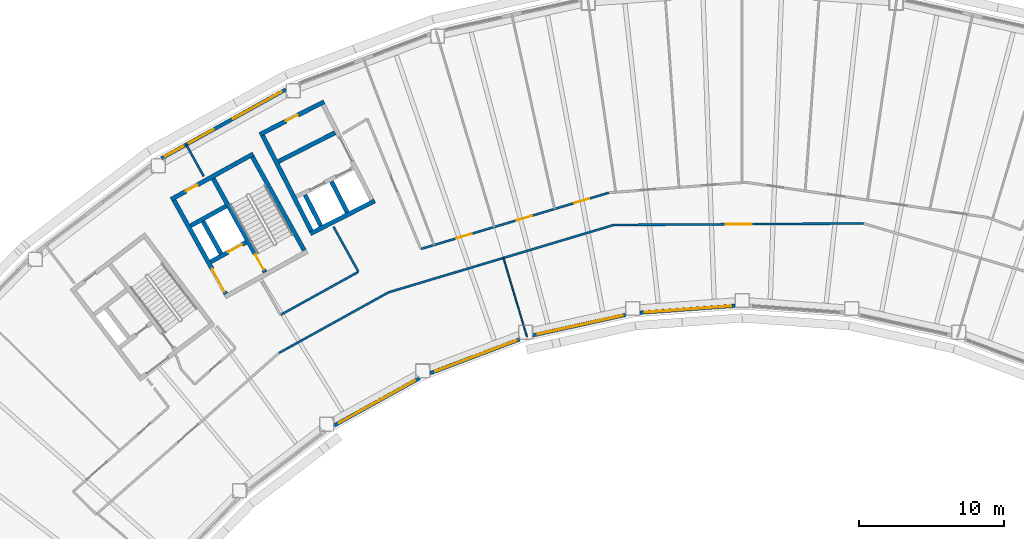
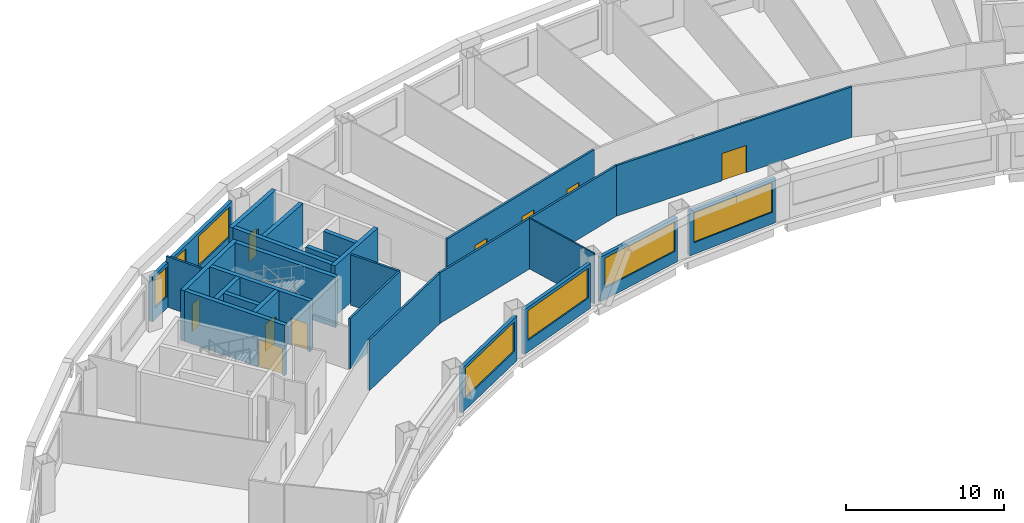
# One storey, part 4 of 11: 26 walls, 9 doors, 7 windows, 16 openings.
"""IFC4 building model written with IfcOpenShell, lengths in metres."""

from ifc_helpers import new_model, si_unit, direction, frame, frame_2d, origin, place, context, subcontext, project, spatial, rectangle, extrude, material, layer, layer_set, type_object, element, fill, save


model = new_model("IFC4")

# Units and contexts
model_context = context("Model", 3, precision=1e-05, world=origin(), true_north=direction((0.0, 1.0)))
body_context = subcontext(model_context, "Body", "Model", "MODEL_VIEW")
ifc_project = project(units=[si_unit("LENGTHUNIT", "METRE"), si_unit("AREAUNIT", "SQUARE_METRE"), si_unit("VOLUMEUNIT", "CUBIC_METRE"), si_unit("PLANEANGLEUNIT", "RADIAN"), si_unit("MASSUNIT", "GRAM", prefix="KILO")], contexts=[model_context])

# Site, building, storey
site_placement = place(None, origin())
site = spatial("IfcSite", under=ifc_project, at=site_placement, CompositionType="ELEMENT")
building_placement = place(site_placement, origin())
building = spatial("IfcBuilding", under=site, at=building_placement, Name="Tuul Gate Civic Tower", CompositionType="ELEMENT")
storey_placement = place(building_placement, frame((0.0, 0.0, 142.39990234375)))
storey = spatial("IfcBuildingStorey", under=building, at=storey_placement, Name="Level 32", CompositionType="ELEMENT", Elevation=142.39990234375)

# Wall, opening, door
ifc_material_1 = material(Name="Concrete C50/60", Category="concrete")
ifc_layer_1 = layer(ifc_material_1, 0.300048828125)
ifc_layer_set_1 = layer_set([ifc_layer_1], Name="Concrete C50/60")
wall_type_1 = type_object("IfcWallType", Name="Core wall C50/60", PredefinedType="SHEAR", material=ifc_layer_set_1)
wall_1_placement = place(storey_placement, frame((-28.94580078125, -8.090087890625, 0.0), z_axis=(0.0, 0.0, 1.0), x_axis=(-0.874629840737, -0.484791338301, 0.0)))
wall_1 = element("IfcWall", 1, at=wall_1_placement, inside=storey, type_object=wall_type_1, Name="Core wall", PredefinedType="SHEAR", context=body_context, shape_type="SweptSolid", body=[
    extrude(rectangle(XDim=2.800048828125, YDim=0.300048828125, at=frame_2d((1.39990234375, 0.0))), origin(), (0.0, 0.0, 1.0), 3.900146484375),
])
opening_1_placement = place(wall_1_placement, frame((0.324951171875, 0.0, 0.0)))
opening_1 = element("IfcOpeningElement", 2, at=opening_1_placement, cuts=wall_1, Name="Opening LD-FF-1", PredefinedType="OPENING", context=body_context, shape_type="SweptSolid", body=[
    extrude(rectangle(XDim=1.10009765625, YDim=2.10009765625, at=frame_2d((0.550048828125, 1.050048828125))), frame((0.0, 0.16015625, 0.0), z_axis=(0.0, -1.0, 0.0), x_axis=(1.0, 0.0, 0.0)), (0.0, 0.0, 1.0), 0.320068359375),
])
ifc_material_2 = material(Name="Stainless steel", Category="steel")
door_type_1 = type_object("IfcDoorType", Name="Landing door", OperationType="DOUBLE_DOOR_SLIDING", PredefinedType="DOOR", material=ifc_material_2)
door_1_placement = place(opening_1_placement, origin())
door_1 = element("IfcDoor", 3, at=door_1_placement, inside=storey, type_object=door_type_1, Name="Fire-fighting lift FF-1 landing door", OperationType="DOUBLE_DOOR_SLIDING", OverallHeight=2.10009765625, OverallWidth=1.10009765625, PredefinedType="DOOR", context=body_context, shape_type="SweptSolid", body=[
    extrude(rectangle(XDim=1.10009765625, YDim=2.10009765625, at=frame_2d((0.550048828125, 1.050048828125))), frame((0.0, 0.02490234375, 0.0), z_axis=(0.0, -1.0, 0.0), x_axis=(1.0, 0.0, 0.0)), (0.0, 0.0, 1.0), 0.050048828125),
])
fill(opening_1, door_1)

# Wall
wall_2_placement = place(storey_placement, frame((-30.327392578125, -5.59716796875, 0.0), z_axis=(0.0, 0.0, 1.0), x_axis=(-0.874629840737, -0.484791338301, 0.0)))
element("IfcWall", 4, at=wall_2_placement, inside=storey, type_object=wall_type_1, Name="Core wall", PredefinedType="SHEAR", context=body_context, shape_type="SweptSolid", body=[
    extrude(rectangle(XDim=2.800048828125, YDim=0.300048828125, at=frame_2d((1.39990234375, 0.0))), origin(), (0.0, 0.0, 1.0), 3.900146484375),
])

# Wall, opening, door
wall_3_placement = place(storey_placement, frame((-28.4443359375, -1.98095703125, 0.0), z_axis=(0.0, 0.0, 1.0), x_axis=(-0.874629909008, -0.484791215132, 0.0)))
wall_3 = element("IfcWall", 5, at=wall_3_placement, inside=storey, type_object=wall_type_1, Name="Core wall", PredefinedType="SHEAR", context=body_context, shape_type="SweptSolid", body=[
    extrude(rectangle(XDim=6.5, YDim=0.300048828125, at=frame_2d((3.25, 0.0))), origin(), (0.0, 0.0, 1.0), 3.900146484375),
])
opening_2_placement = place(wall_3_placement, frame((4.425048828125, 0.0, 0.0)))
opening_2 = element("IfcOpeningElement", 6, at=opening_2_placement, cuts=wall_3, Name="Opening K-D23", PredefinedType="OPENING", context=body_context, shape_type="SweptSolid", body=[
    extrude(rectangle(XDim=0.89990234375, YDim=2.10009765625, at=frame_2d((0.449951171875, 1.050048828125))), frame((0.0, 0.16015625, 0.0), z_axis=(0.0, -1.0, 0.0), x_axis=(1.0, 0.0, 0.0)), (0.0, 0.0, 1.0), 0.320068359375),
])
ifc_material_3 = material(Name="Timber door leaf", Category="wood")
door_type_2 = type_object("IfcDoorType", Name="Door D09", OperationType="NOTDEFINED", PredefinedType="DOOR", material=ifc_material_3)
door_2_placement = place(opening_2_placement, origin())
door_2 = element("IfcDoor", 7, at=door_2_placement, inside=storey, type_object=door_type_2, Name="Door K-D23", OperationType="SINGLE_SWING_LEFT", OverallHeight=2.10009765625, OverallWidth=0.89990234375, PredefinedType="DOOR", context=body_context, shape_type="SweptSolid", body=[
    extrude(rectangle(XDim=0.89990234375, YDim=2.10009765625, at=frame_2d((0.449951171875, 1.050048828125))), frame((0.0, 0.02490234375, 0.0), z_axis=(0.0, -1.0, 0.0), x_axis=(1.0, 0.0, 0.0)), (0.0, 0.0, 1.0), 0.050048828125),
])
fill(opening_2, door_2)

# Wall
wall_4_placement = place(storey_placement, frame((-24.91552734375, -8.6572265625, 0.0), z_axis=(0.0, 0.0, 1.0), x_axis=(-0.484777133038, 0.874637714304, 0.0)))
element("IfcWall", 8, at=wall_4_placement, inside=storey, type_object=wall_type_1, Name="Core wall", PredefinedType="SHEAR", context=body_context, shape_type="SweptSolid", body=[
    extrude(rectangle(XDim=7.400146484375, YDim=0.300048828125, at=frame_2d((3.7001953125, 0.0))), origin(), (0.0, 0.0, 1.0), 3.900146484375),
])

# Wall, opening, door
wall_5_placement = place(storey_placement, frame((-27.626953125, -10.16015625, 0.0), z_axis=(0.0, 0.0, 1.0), x_axis=(-0.484751894226, 0.874651702704, 0.0)))
wall_5 = element("IfcWall", 9, at=wall_5_placement, inside=storey, type_object=wall_type_1, Name="Core wall", PredefinedType="SHEAR", context=body_context, shape_type="SweptSolid", body=[
    extrude(rectangle(XDim=7.39990234375, YDim=0.300048828125, at=frame_2d((3.699951171875, 0.0))), origin(), (0.0, 0.0, 1.0), 3.900146484375),
])
opening_3_placement = place(wall_5_placement, frame((0.199951171875, 0.0, 0.0)))
opening_3 = element("IfcOpeningElement", 10, at=opening_3_placement, cuts=wall_5, Name="Opening SD-ST-2", PredefinedType="OPENING", context=body_context, shape_type="SweptSolid", body=[
    extrude(rectangle(XDim=1.199951171875, YDim=2.10009765625, at=frame_2d((0.60009765625, 1.050048828125))), frame((0.0, 0.16015625, 0.0), z_axis=(0.0, -1.0, 0.0), x_axis=(1.0, 0.0, 0.0)), (0.0, 0.0, 1.0), 0.320068359375),
])
ifc_material_4 = material(Name="Steel", Category="steel")
door_type_3 = type_object("IfcDoorType", Name="Stair door", OperationType="NOTDEFINED", PredefinedType="DOOR", material=ifc_material_4)
door_3_placement = place(opening_3_placement, origin())
door_3 = element("IfcDoor", 11, at=door_3_placement, inside=storey, type_object=door_type_3, Name="Stair door ST-2", OperationType="SINGLE_SWING_LEFT", OverallHeight=2.10009765625, OverallWidth=1.199951171875, PredefinedType="DOOR", context=body_context, shape_type="SweptSolid", body=[
    extrude(rectangle(XDim=1.199951171875, YDim=2.10009765625, at=frame_2d((0.60009765625, 1.050048828125))), frame((0.0, 0.02490234375, 0.0), z_axis=(0.0, -1.0, 0.0), x_axis=(1.0, 0.0, 0.0)), (0.0, 0.0, 1.0), 0.050048828125),
])
fill(opening_3, door_3)

# Wall
wall_6_placement = place(storey_placement, frame((-30.680419921875, -8.8798828125, 0.0), z_axis=(0.0, 0.0, 1.0), x_axis=(-0.484724115216, 0.874667097888, 0.0)))
element("IfcWall", 12, at=wall_6_placement, inside=storey, type_object=wall_type_1, Name="Core wall", PredefinedType="SHEAR", context=body_context, shape_type="SweptSolid", body=[
    extrude(rectangle(XDim=2.550048828125, YDim=0.300048828125, at=frame_2d((1.27490234375, 0.0))), origin(), (0.0, 0.0, 1.0), 3.900146484375),
])

# Wall, opening, door
wall_7_placement = place(storey_placement, frame((-30.33837890625, -11.6630859375, 0.0), z_axis=(0.0, 0.0, 1.0), x_axis=(-0.484751894226, 0.874651702704, 0.0)))
wall_7 = element("IfcWall", 13, at=wall_7_placement, inside=storey, type_object=wall_type_1, Name="Core wall", PredefinedType="SHEAR", context=body_context, shape_type="SweptSolid", body=[
    extrude(rectangle(XDim=7.39990234375, YDim=0.300048828125, at=frame_2d((3.699951171875, 0.0))), origin(), (0.0, 0.0, 1.0), 3.900146484375),
])
opening_4_placement = place(wall_7_placement, frame((0.175048828125, 0.0, 0.0)))
opening_4 = element("IfcOpeningElement", 14, at=opening_4_placement, cuts=wall_7, Name="Opening LB-W2-FLOBBY-1", PredefinedType="OPENING", context=body_context, shape_type="SweptSolid", body=[
    extrude(rectangle(XDim=1.800048828125, YDim=2.10009765625, at=frame_2d((0.89990234375, 1.050048828125))), frame((0.0, 0.16015625, 0.0), z_axis=(0.0, -1.0, 0.0), x_axis=(1.0, 0.0, 0.0)), (0.0, 0.0, 1.0), 0.320068359375),
])
ifc_material_5 = material(Name="Steel", Category="steel")
door_type_4 = type_object("IfcDoorType", Name="Lobby door", OperationType="DOUBLE_DOOR_SINGLE_SWING", PredefinedType="DOOR", material=ifc_material_5)
door_4_placement = place(opening_4_placement, frame((1.800048828125, 0.0, 0.0), z_axis=(0.0, 0.0, 1.0), x_axis=(-1.0, 0.0, 0.0)))
door_4 = element("IfcDoor", 15, at=door_4_placement, inside=storey, type_object=door_type_4, Name="Lobby door W2-FLOBBY", OperationType="DOUBLE_DOOR_SINGLE_SWING", OverallHeight=2.10009765625, OverallWidth=1.800048828125, PredefinedType="DOOR", context=body_context, shape_type="SweptSolid", body=[
    extrude(rectangle(XDim=1.800048828125, YDim=2.10009765625, at=frame_2d((0.900146484375, 1.050048828125))), frame((0.0, 0.02490234375, 0.0), z_axis=(0.0, -1.0, 0.0), x_axis=(1.0, 0.0, 0.0)), (0.0, 0.0, 1.0), 0.050048828125),
])
fill(opening_4, door_4)

# Wall, openings, doors
ifc_material_6 = material(Name="Gypsum board partition")
ifc_layer_2 = layer(ifc_material_6, 0.14990234375)
ifc_layer_set_2 = layer_set([ifc_layer_2], Name="Gypsum board partition")
wall_type_2 = type_object("IfcWallType", Name="Corridor wall P150", PredefinedType="PARTITIONING", material=ifc_layer_set_2)
wall_8_placement = place(storey_placement, frame((-16.8408203125, -8.552490234375, 0.0), z_axis=(0.0, 0.0, 1.0), x_axis=(0.958034162582, 0.286654048158, 0.0)))
wall_8 = element("IfcWall", 16, at=wall_8_placement, inside=storey, type_object=wall_type_2, Name="p029", PredefinedType="PARTITIONING", context=body_context, shape_type="SweptSolid", body=[
    extrude(rectangle(XDim=13.559814453125, YDim=0.14990234375, at=frame_2d((6.77978515625, 0.0))), origin(), (0.0, 0.0, 1.0), 3.900146484375),
])
opening_5_placement = place(wall_8_placement, frame((11.0517578125, 0.0, 0.0)))
opening_5 = element("IfcOpeningElement", 17, at=opening_5_placement, cuts=wall_8, Name="Opening K-D12", PredefinedType="OPENING", context=body_context, shape_type="SweptSolid", body=[
    extrude(rectangle(XDim=1.10009765625, YDim=2.10009765625, at=frame_2d((0.550048828125, 1.050048828125))), frame((0.0, 0.0849609375, 0.0), z_axis=(0.0, -1.0, 0.0), x_axis=(1.0, 0.0, 0.0)), (0.0, 0.0, 1.0), 0.169921875),
])
opening_6_placement = place(wall_8_placement, frame((6.91552734375, 0.0, 0.0)))
opening_6 = element("IfcOpeningElement", 18, at=opening_6_placement, cuts=wall_8, Name="Opening K-D13", PredefinedType="OPENING", context=body_context, shape_type="SweptSolid", body=[
    extrude(rectangle(XDim=1.10009765625, YDim=2.10009765625, at=frame_2d((0.550048828125, 1.050048828125))), frame((0.0, 0.0849609375, 0.0), z_axis=(0.0, -1.0, 0.0), x_axis=(1.0, 0.0, 0.0)), (0.0, 0.0, 1.0), 0.169921875),
])
opening_7_placement = place(wall_8_placement, frame((2.560302734375, 0.0, 0.0)))
opening_7 = element("IfcOpeningElement", 19, at=opening_7_placement, cuts=wall_8, Name="Opening K-D14", PredefinedType="OPENING", context=body_context, shape_type="SweptSolid", body=[
    extrude(rectangle(XDim=1.10009765625, YDim=2.10009765625, at=frame_2d((0.550048828125, 1.050048828125))), frame((0.0, 0.0849609375, 0.0), z_axis=(0.0, -1.0, 0.0), x_axis=(1.0, 0.0, 0.0)), (0.0, 0.0, 1.0), 0.169921875),
])
ifc_material_7 = material(Name="Timber door leaf", Category="wood")
door_type_5 = type_object("IfcDoorType", Name="Door D11", OperationType="NOTDEFINED", PredefinedType="DOOR", material=ifc_material_7)
door_5_placement = place(opening_5_placement, origin())
door_5 = element("IfcDoor", 20, at=door_5_placement, inside=storey, type_object=door_type_5, Name="Door K-D12", OperationType="SINGLE_SWING_LEFT", OverallHeight=2.10009765625, OverallWidth=1.10009765625, PredefinedType="DOOR", context=body_context, shape_type="SweptSolid", body=[
    extrude(rectangle(XDim=1.10009765625, YDim=2.10009765625, at=frame_2d((0.550048828125, 1.050048828125))), frame((0.0, 0.02490234375, 0.0), z_axis=(0.0, -1.0, 0.0), x_axis=(1.0, 0.0, 0.0)), (0.0, 0.0, 1.0), 0.050048828125),
])
fill(opening_5, door_5)
door_6_placement = place(opening_6_placement, origin())
door_6 = element("IfcDoor", 21, at=door_6_placement, inside=storey, type_object=door_type_5, Name="Door K-D13", OperationType="SINGLE_SWING_RIGHT", OverallHeight=2.10009765625, OverallWidth=1.10009765625, PredefinedType="DOOR", context=body_context, shape_type="SweptSolid", body=[
    extrude(rectangle(XDim=1.10009765625, YDim=2.10009765625, at=frame_2d((0.550048828125, 1.050048828125))), frame((0.0, 0.02490234375, 0.0), z_axis=(0.0, -1.0, 0.0), x_axis=(1.0, 0.0, 0.0)), (0.0, 0.0, 1.0), 0.050048828125),
])
fill(opening_6, door_6)
door_7_placement = place(opening_7_placement, origin())
door_7 = element("IfcDoor", 22, at=door_7_placement, inside=storey, type_object=door_type_5, Name="Door K-D14", OperationType="SINGLE_SWING_RIGHT", OverallHeight=2.10009765625, OverallWidth=1.10009765625, PredefinedType="DOOR", context=body_context, shape_type="SweptSolid", body=[
    extrude(rectangle(XDim=1.10009765625, YDim=2.10009765625, at=frame_2d((0.550048828125, 1.050048828125))), frame((0.0, 0.02490234375, 0.0), z_axis=(0.0, -1.0, 0.0), x_axis=(1.0, 0.0, 0.0)), (0.0, 0.0, 1.0), 0.050048828125),
])
fill(opening_7, door_7)

# Walls
wall_9_placement = place(storey_placement, frame((-22.89453125, -7.02001953125, 0.0), z_axis=(0.0, 0.0, 1.0), x_axis=(0.484190544498, -0.874962580125, 0.0)))
element("IfcWall", 23, at=wall_9_placement, inside=storey, type_object=wall_type_2, Name="p035", PredefinedType="PARTITIONING", context=body_context, shape_type="SweptSolid", body=[
    extrude(rectangle(XDim=3.541259765625, YDim=0.14990234375, at=frame_2d((1.7705078125, 0.0))), origin(), (0.0, 0.0, 1.0), 3.900146484375),
])
wall_10_placement = place(storey_placement, frame((-26.547119140625, -13.11181640625, 0.0), z_axis=(0.0, 0.0, 1.0), x_axis=(0.874958951424, 0.484197101729, 0.0)))
element("IfcWall", 24, at=wall_10_placement, inside=storey, type_object=wall_type_2, Name="p036", PredefinedType="PARTITIONING", context=body_context, shape_type="SweptSolid", body=[
    extrude(rectangle(XDim=6.124755859375, YDim=0.14990234375, at=frame_2d((3.0625, 0.0))), origin(), (0.0, 0.0, 1.0), 3.900146484375),
])
wall_11_placement = place(storey_placement, frame((-33.086669921875, -1.337158203125, 0.0), z_axis=(0.0, 0.0, 1.0), x_axis=(0.484206989031, -0.874953479777, 0.0)))
element("IfcWall", 25, at=wall_11_placement, inside=storey, type_object=wall_type_2, Name="p037", PredefinedType="PARTITIONING", context=body_context, shape_type="SweptSolid", body=[
    extrude(rectangle(XDim=2.512939453125, YDim=0.14990234375, at=frame_2d((1.25634765625, 0.0))), origin(), (0.0, 0.0, 1.0), 3.900146484375),
])
wall_12_placement = place(storey_placement, frame((-19.08837890625, -11.555419921875, 0.0), z_axis=(0.0, 0.0, 1.0), x_axis=(0.958040996971, 0.286631205773, 0.0)))
element("IfcWall", 26, at=wall_12_placement, inside=storey, type_object=wall_type_2, Name="p050", PredefinedType="PARTITIONING", context=body_context, shape_type="SweptSolid", body=[
    extrude(rectangle(XDim=16.253173828125, YDim=0.14990234375, at=frame_2d((8.12646484375, 0.0))), origin(), (0.0, 0.0, 1.0), 3.900146484375),
])

# Wall, opening, door
wall_13_placement = place(storey_placement, frame((-3.51708984375, -6.896728515625, 0.0), z_axis=(0.0, 0.0, 1.0), x_axis=(0.9999814524, 0.006090554604, 0.0)))
wall_13 = element("IfcWall", 27, at=wall_13_placement, inside=storey, type_object=wall_type_2, Name="p051", PredefinedType="PARTITIONING", context=body_context, shape_type="SweptSolid", body=[
    extrude(rectangle(XDim=17.276611328125, YDim=0.14990234375, at=frame_2d((8.63818359375, 0.0))), origin(), (0.0, 0.0, 1.0), 3.900146484375),
])
opening_8_placement = place(wall_13_placement, frame((7.73828125, 0.0, 0.0)))
opening_8 = element("IfcOpeningElement", 28, at=opening_8_placement, cuts=wall_13, Name="Opening K-D19", PredefinedType="OPENING", context=body_context, shape_type="SweptSolid", body=[
    extrude(rectangle(XDim=1.800048828125, YDim=2.10009765625, at=frame_2d((0.89990234375, 1.050048828125))), frame((0.0, 0.0849609375, 0.0), z_axis=(0.0, -1.0, 0.0), x_axis=(1.0, 0.0, 0.0)), (0.0, 0.0, 1.0), 0.169921875),
])
ifc_material_8 = material(Name="Timber door leaf, double", Category="wood")
door_type_6 = type_object("IfcDoorType", Name="Door D18", OperationType="DOUBLE_DOOR_SINGLE_SWING", PredefinedType="DOOR", material=ifc_material_8)
door_8_placement = place(opening_8_placement, frame((1.800048828125, 0.0, 0.0), z_axis=(0.0, 0.0, 1.0), x_axis=(-1.0, 0.0, 0.0)))
door_8 = element("IfcDoor", 29, at=door_8_placement, inside=storey, type_object=door_type_6, Name="Door K-D19", OperationType="DOUBLE_DOOR_SINGLE_SWING", OverallHeight=2.10009765625, OverallWidth=1.800048828125, PredefinedType="DOOR", context=body_context, shape_type="SweptSolid", body=[
    extrude(rectangle(XDim=1.800048828125, YDim=2.10009765625, at=frame_2d((0.900146484375, 1.050048828125))), frame((0.0, 0.02490234375, 0.0), z_axis=(0.0, -1.0, 0.0), x_axis=(1.0, 0.0, 0.0)), (0.0, 0.0, 1.0), 0.050048828125),
])
fill(opening_8, door_8)

# Wall
wall_14_placement = place(storey_placement, frame((-26.6669921875, -15.749755859375, 0.0), z_axis=(0.0, 0.0, 1.0), x_axis=(0.87496443184, 0.484187198317, 0.0)))
element("IfcWall", 30, at=wall_14_placement, inside=storey, type_object=wall_type_2, Name="p052", PredefinedType="PARTITIONING", context=body_context, shape_type="SweptSolid", body=[
    extrude(rectangle(XDim=8.66162109375, YDim=0.14990234375, at=frame_2d((4.330810546875, 0.0))), origin(), (0.0, 0.0, 1.0), 3.900146484375),
])

# Wall, openings, windows
ifc_material_9 = material(Name="Precast concrete C40/50", Category="concrete")
ifc_layer_3 = layer(ifc_material_9, 0.25)
ifc_layer_set_3 = layer_set([ifc_layer_3], Name="Precast concrete C40/50")
wall_type_3 = type_object("IfcWallType", Name="External wall", PredefinedType="STANDARD", material=ifc_layer_set_3)
wall_15_placement = place(storey_placement, frame((-26.18994140625, 2.479736328125, 0.0), z_axis=(0.0, 0.0, 1.0), x_axis=(-0.874631968484, -0.484787499536, 0.0)))
wall_15 = element("IfcWall", 31, at=wall_15_placement, inside=storey, type_object=wall_type_3, Name="External wall", PredefinedType="STANDARD", context=body_context, shape_type="SweptSolid", body=[
    extrude(rectangle(XDim=9.8408203125, YDim=0.25, at=frame_2d((4.92041015625, 0.0))), origin(), (0.0, 0.0, 1.0), 3.4501953125),
])
opening_9_placement = place(wall_15_placement, frame((0.3359375, 0.0, 0.89990234375)))
opening_9 = element("IfcOpeningElement", 32, at=opening_9_placement, cuts=wall_15, Name="Opening W22", PredefinedType="OPENING", context=body_context, shape_type="SweptSolid", body=[
    extrude(rectangle(XDim=3.85009765625, YDim=2.300048828125, at=frame_2d((1.925048828125, 1.14990234375))), frame((0.0, 0.135009765625, 0.0), z_axis=(0.0, -1.0, 0.0), x_axis=(1.0, 0.0, 0.0)), (0.0, 0.0, 1.0), 0.27001953125),
])
opening_10_placement = place(wall_15_placement, frame((5.7197265625, 0.0, 0.89990234375)))
opening_10 = element("IfcOpeningElement", 33, at=opening_10_placement, cuts=wall_15, Name="Opening W46", PredefinedType="OPENING", context=body_context, shape_type="SweptSolid", body=[
    extrude(rectangle(XDim=1.949951171875, YDim=2.300048828125, at=frame_2d((0.97509765625, 1.14990234375))), frame((0.0, 0.135009765625, 0.0), z_axis=(0.0, -1.0, 0.0), x_axis=(1.0, 0.0, 0.0)), (0.0, 0.0, 1.0), 0.27001953125),
])
opening_11_placement = place(wall_15_placement, frame((8.0947265625, 0.0, 0.89990234375)))
opening_11 = element("IfcOpeningElement", 34, at=opening_11_placement, cuts=wall_15, Name="Opening W47", PredefinedType="OPENING", context=body_context, shape_type="SweptSolid", body=[
    extrude(rectangle(XDim=1.449951171875, YDim=2.300048828125, at=frame_2d((0.72509765625, 1.14990234375))), frame((0.0, 0.135009765625, 0.0), z_axis=(0.0, -1.0, 0.0), x_axis=(1.0, 0.0, 0.0)), (0.0, 0.0, 1.0), 0.27001953125),
])
ifc_material_10 = material(Name="Glass", Category="glass")
window_type_1 = type_object("IfcWindowType", Name="Window 1450 x 2300", PartitioningType="SINGLE_PANEL", PredefinedType="WINDOW", material=ifc_material_10)
window_1_placement = place(opening_11_placement, origin())
window_1 = element("IfcWindow", 35, at=window_1_placement, inside=storey, type_object=window_type_1, Name="Window", OverallHeight=2.300048828125, OverallWidth=1.449951171875, PartitioningType="SINGLE_PANEL", PredefinedType="WINDOW", context=body_context, shape_type="SweptSolid", body=[
    extrude(rectangle(XDim=1.449951171875, YDim=2.300048828125, at=frame_2d((0.72509765625, 1.14990234375))), frame((0.0, 0.030029296875, 0.0), z_axis=(0.0, -1.0, 0.0), x_axis=(1.0, 0.0, 0.0)), (0.0, 0.0, 1.0), 0.06005859375),
])
fill(opening_11, window_1)
ifc_material_11 = material(Name="Glass", Category="glass")
window_type_2 = type_object("IfcWindowType", Name="Window 1950 x 2300", PartitioningType="SINGLE_PANEL", PredefinedType="WINDOW", material=ifc_material_11)
window_2_placement = place(opening_10_placement, origin())
window_2 = element("IfcWindow", 36, at=window_2_placement, inside=storey, type_object=window_type_2, Name="Window", OverallHeight=2.300048828125, OverallWidth=1.949951171875, PartitioningType="SINGLE_PANEL", PredefinedType="WINDOW", context=body_context, shape_type="SweptSolid", body=[
    extrude(rectangle(XDim=1.949951171875, YDim=2.300048828125, at=frame_2d((0.97509765625, 1.14990234375))), frame((0.0, 0.030029296875, 0.0), z_axis=(0.0, -1.0, 0.0), x_axis=(1.0, 0.0, 0.0)), (0.0, 0.0, 1.0), 0.06005859375),
])
fill(opening_10, window_2)
ifc_material_12 = material(Name="Glass", Category="glass")
window_type_3 = type_object("IfcWindowType", Name="Window W22 3850 x 2300", PartitioningType="SINGLE_PANEL", PredefinedType="WINDOW", material=ifc_material_12)
window_3_placement = place(opening_9_placement, origin())
window_3 = element("IfcWindow", 37, at=window_3_placement, inside=storey, type_object=window_type_3, Name="Window", OverallHeight=2.300048828125, OverallWidth=3.85009765625, PartitioningType="SINGLE_PANEL", PredefinedType="WINDOW", context=body_context, shape_type="SweptSolid", body=[
    extrude(rectangle(XDim=3.85009765625, YDim=2.300048828125, at=frame_2d((1.925048828125, 1.14990234375))), frame((0.0, 0.030029296875, 0.0), z_axis=(0.0, -1.0, 0.0), x_axis=(1.0, 0.0, 0.0)), (0.0, 0.0, 1.0), 0.06005859375),
])
fill(opening_9, window_3)

# Wall, opening, window
wall_16_placement = place(storey_placement, frame((-22.85302734375, -20.766845703125, 0.0), z_axis=(0.0, 0.0, 1.0), x_axis=(0.874615488592, 0.484817230628, 0.0)))
wall_16 = element("IfcWall", 38, at=wall_16_placement, inside=storey, type_object=wall_type_3, Name="External wall", PredefinedType="STANDARD", context=body_context, shape_type="SweptSolid", body=[
    extrude(rectangle(XDim=6.7548828125, YDim=0.25, at=frame_2d((3.37744140625, 0.0))), origin(), (0.0, 0.0, 1.0), 3.4501953125),
])
opening_12_placement = place(wall_16_placement, frame((0.40478515625, 0.0, 0.89990234375)))
opening_12 = element("IfcOpeningElement", 39, at=opening_12_placement, cuts=wall_16, Name="Opening W26", PredefinedType="OPENING", context=body_context, shape_type="SweptSolid", body=[
    extrude(rectangle(XDim=6.0, YDim=2.300048828125, at=frame_2d((3.0, 1.14990234375))), frame((0.0, 0.135009765625, 0.0), z_axis=(0.0, -1.0, 0.0), x_axis=(1.0, 0.0, 0.0)), (0.0, 0.0, 1.0), 0.27001953125),
])
ifc_material_13 = material(Name="Glass", Category="glass")
window_type_4 = type_object("IfcWindowType", Name="Window W26 6000 x 2300", PartitioningType="SINGLE_PANEL", PredefinedType="WINDOW", material=ifc_material_13)
window_4_placement = place(opening_12_placement, origin())
window_4 = element("IfcWindow", 40, at=window_4_placement, inside=storey, type_object=window_type_4, Name="Window", OverallHeight=2.300048828125, OverallWidth=6.0, PartitioningType="SINGLE_PANEL", PredefinedType="WINDOW", context=body_context, shape_type="SweptSolid", body=[
    extrude(rectangle(XDim=6.0, YDim=2.300048828125, at=frame_2d((3.0, 1.14990234375))), frame((0.0, 0.030029296875, 0.0), z_axis=(0.0, -1.0, 0.0), x_axis=(1.0, 0.0, 0.0)), (0.0, 0.0, 1.0), 0.06005859375),
])
fill(opening_12, window_4)

wall_17_placement = place(storey_placement, frame((-16.212890625, -17.150146484375, 0.0), z_axis=(0.0, 0.0, 1.0), x_axis=(0.935354811562, 0.353710865662, 0.0)))
wall_17 = element("IfcWall", 41, at=wall_17_placement, inside=storey, type_object=wall_type_3, Name="External wall", PredefinedType="STANDARD", context=body_context, shape_type="SweptSolid", body=[
    extrude(rectangle(XDim=6.624755859375, YDim=0.25, at=frame_2d((3.3125, 0.0))), origin(), (0.0, 0.0, 1.0), 3.4501953125),
])
opening_13_placement = place(wall_17_placement, frame((0.384521484375, 0.0, 0.89990234375)))
opening_13 = element("IfcOpeningElement", 42, at=opening_13_placement, cuts=wall_17, Name="Opening W26", PredefinedType="OPENING", context=body_context, shape_type="SweptSolid", body=[
    extrude(rectangle(XDim=6.0, YDim=2.300048828125, at=frame_2d((3.0, 1.14990234375))), frame((0.0, 0.135009765625, 0.0), z_axis=(0.0, -1.0, 0.0), x_axis=(1.0, 0.0, 0.0)), (0.0, 0.0, 1.0), 0.27001953125),
])
window_5_placement = place(opening_13_placement, origin())
window_5 = element("IfcWindow", 43, at=window_5_placement, inside=storey, type_object=window_type_4, Name="Window", OverallHeight=2.300048828125, OverallWidth=6.0, PartitioningType="SINGLE_PANEL", PredefinedType="WINDOW", context=body_context, shape_type="SweptSolid", body=[
    extrude(rectangle(XDim=6.0, YDim=2.300048828125, at=frame_2d((3.0, 1.14990234375))), frame((0.0, 0.030029296875, 0.0), z_axis=(0.0, -1.0, 0.0), x_axis=(1.0, 0.0, 0.0)), (0.0, 0.0, 1.0), 0.06005859375),
])
fill(opening_13, window_5)

wall_18_placement = place(storey_placement, frame((-9.112060546875, -14.529296875, 0.0), z_axis=(0.0, 0.0, 1.0), x_axis=(0.976557337415, 0.215257442942, 0.0)))
wall_18 = element("IfcWall", 44, at=wall_18_placement, inside=storey, type_object=wall_type_3, Name="External wall", PredefinedType="STANDARD", context=body_context, shape_type="SweptSolid", body=[
    extrude(rectangle(XDim=6.568115234375, YDim=0.25, at=frame_2d((3.2841796875, 0.0))), origin(), (0.0, 0.0, 1.0), 3.4501953125),
])
opening_14_placement = place(wall_18_placement, frame((0.355712890625, 0.0, 0.89990234375)))
opening_14 = element("IfcOpeningElement", 45, at=opening_14_placement, cuts=wall_18, Name="Opening W26", PredefinedType="OPENING", context=body_context, shape_type="SweptSolid", body=[
    extrude(rectangle(XDim=6.0, YDim=2.300048828125, at=frame_2d((3.0, 1.14990234375))), frame((0.0, 0.135009765625, 0.0), z_axis=(0.0, -1.0, 0.0), x_axis=(1.0, 0.0, 0.0)), (0.0, 0.0, 1.0), 0.27001953125),
])
window_6_placement = place(opening_14_placement, origin())
window_6 = element("IfcWindow", 46, at=window_6_placement, inside=storey, type_object=window_type_4, Name="Window", OverallHeight=2.300048828125, OverallWidth=6.0, PartitioningType="SINGLE_PANEL", PredefinedType="WINDOW", context=body_context, shape_type="SweptSolid", body=[
    extrude(rectangle(XDim=6.0, YDim=2.300048828125, at=frame_2d((3.0, 1.14990234375))), frame((0.0, 0.030029296875, 0.0), z_axis=(0.0, -1.0, 0.0), x_axis=(1.0, 0.0, 0.0)), (0.0, 0.0, 1.0), 0.06005859375),
])
fill(opening_14, window_6)

wall_19_placement = place(storey_placement, frame((-1.697998046875, -12.962158203125, 0.0), z_axis=(0.0, 0.0, 1.0), x_axis=(0.997383866909, 0.072287080662, 0.0)))
wall_19 = element("IfcWall", 47, at=wall_19_placement, inside=storey, type_object=wall_type_3, Name="External wall", PredefinedType="STANDARD", context=body_context, shape_type="SweptSolid", body=[
    extrude(rectangle(XDim=6.58935546875, YDim=0.25, at=frame_2d((3.294677734375, 0.0))), origin(), (0.0, 0.0, 1.0), 3.4501953125),
])
opening_15_placement = place(wall_19_placement, frame((0.318115234375, 0.0, 0.89990234375)))
opening_15 = element("IfcOpeningElement", 48, at=opening_15_placement, cuts=wall_19, Name="Opening W26", PredefinedType="OPENING", context=body_context, shape_type="SweptSolid", body=[
    extrude(rectangle(XDim=6.0, YDim=2.300048828125, at=frame_2d((3.0, 1.14990234375))), frame((0.0, 0.135009765625, 0.0), z_axis=(0.0, -1.0, 0.0), x_axis=(1.0, 0.0, 0.0)), (0.0, 0.0, 1.0), 0.27001953125),
])
window_7_placement = place(opening_15_placement, origin())
window_7 = element("IfcWindow", 49, at=window_7_placement, inside=storey, type_object=window_type_4, Name="Window", OverallHeight=2.300048828125, OverallWidth=6.0, PartitioningType="SINGLE_PANEL", PredefinedType="WINDOW", context=body_context, shape_type="SweptSolid", body=[
    extrude(rectangle(XDim=6.0, YDim=2.300048828125, at=frame_2d((3.0, 1.14990234375))), frame((0.0, 0.030029296875, 0.0), z_axis=(0.0, -1.0, 0.0), x_axis=(1.0, 0.0, 0.0)), (0.0, 0.0, 1.0), 0.06005859375),
])
fill(opening_15, window_7)

# Walls
ifc_material_14 = material(Name="Concrete C40/50", Category="concrete")
ifc_layer_4 = layer(ifc_material_14, 0.300048828125)
ifc_layer_set_4 = layer_set([ifc_layer_4], Name="Concrete C40/50")
wall_type_4 = type_object("IfcWallType", Name="Lift shaft wall C40/50", PredefinedType="STANDARD", material=ifc_layer_set_4)
wall_20_placement = place(storey_placement, frame((-20.049072265625, -5.232421875, 0.0), z_axis=(0.0, 0.0, 1.0), x_axis=(-0.891002976909, -0.453997461601, 0.0)))
element("IfcWall", 50, at=wall_20_placement, inside=storey, type_object=wall_type_4, Name="Shaft wall", PredefinedType="STANDARD", context=body_context, shape_type="SweptSolid", body=[
    extrude(rectangle(XDim=5.0, YDim=0.300048828125, at=frame_2d((2.5, 0.0))), origin(), (0.0, 0.0, 1.0), 3.900146484375),
])
wall_21_placement = place(storey_placement, frame((-22.790771484375, -0.5126953125, 0.0), z_axis=(0.0, 0.0, 1.0), x_axis=(-0.891005618941, -0.453992276384, 0.0)))
element("IfcWall", 51, at=wall_21_placement, inside=storey, type_object=wall_type_4, Name="Shaft wall", PredefinedType="STANDARD", context=body_context, shape_type="SweptSolid", body=[
    extrude(rectangle(XDim=4.39990234375, YDim=0.300048828125, at=frame_2d((2.199951171875, 0.0))), origin(), (0.0, 0.0, 1.0), 3.900146484375),
])

# Wall, opening, door
wall_22_placement = place(storey_placement, frame((-23.544921875, 1.62841796875, 0.0), z_axis=(0.0, 0.0, 1.0), x_axis=(-0.891002976909, -0.453997461601, 0.0)))
wall_22 = element("IfcWall", 52, at=wall_22_placement, inside=storey, type_object=wall_type_4, Name="Shaft wall", PredefinedType="STANDARD", context=body_context, shape_type="SweptSolid", body=[
    extrude(rectangle(XDim=5.0, YDim=0.300048828125, at=frame_2d((2.5, 0.0))), origin(), (0.0, 0.0, 1.0), 3.900146484375),
])
opening_16_placement = place(wall_22_placement, frame((2.050048828125, 0.0, 0.0)))
opening_16 = element("IfcOpeningElement", 53, at=opening_16_placement, cuts=wall_22, Name="Opening K-D28", PredefinedType="OPENING", context=body_context, shape_type="SweptSolid", body=[
    extrude(rectangle(XDim=0.89990234375, YDim=2.10009765625, at=frame_2d((0.449951171875, 1.050048828125))), frame((0.0, 0.16015625, 0.0), z_axis=(0.0, -1.0, 0.0), x_axis=(1.0, 0.0, 0.0)), (0.0, 0.0, 1.0), 0.320068359375),
])
door_9_placement = place(opening_16_placement, origin())
door_9 = element("IfcDoor", 54, at=door_9_placement, inside=storey, type_object=door_type_2, Name="Door K-D28", OperationType="SINGLE_SWING_LEFT", OverallHeight=2.10009765625, OverallWidth=0.89990234375, PredefinedType="DOOR", context=body_context, shape_type="SweptSolid", body=[
    extrude(rectangle(XDim=0.89990234375, YDim=2.10009765625, at=frame_2d((0.449951171875, 1.050048828125))), frame((0.0, 0.02490234375, 0.0), z_axis=(0.0, -1.0, 0.0), x_axis=(1.0, 0.0, 0.0)), (0.0, 0.0, 1.0), 0.050048828125),
])
fill(opening_16, door_9)

# Walls
for number, where, z_axis, x_axis, name in (
    (55, (-21.94384765625, -6.029296875, 0.0), (0.0, 0.0, 1.0), (-0.45403702923, 0.890982814698, 0.0), "Shaft wall"),
    (56, (-23.770263671875, -6.960205078125, 0.0), (0.0, 0.0, 1.0), (-0.45399587725, 0.891003784189, 0.0), "Shaft wall"),
):
    element("IfcWall", number, at=place(storey_placement, frame(where, z_axis=z_axis, x_axis=x_axis)), inside=storey, type_object=wall_type_4, Name=name, PredefinedType="STANDARD", context=body_context, shape_type="SweptSolid", body=[
        extrude(rectangle(XDim=2.39990234375, YDim=0.300048828125, at=frame_2d((1.199951171875, 0.0))), origin(), (0.0, 0.0, 1.0), 3.900146484375),
    ])
wall_23_placement = place(storey_placement, frame((-24.438720703125, -7.300537109375, 0.0), z_axis=(0.0, 0.0, 1.0), x_axis=(-0.453984101083, 0.891009784438, 0.0)))
element("IfcWall", 57, at=wall_23_placement, inside=storey, type_object=wall_type_4, Name="Shaft wall", PredefinedType="STANDARD", context=body_context, shape_type="SweptSolid", body=[
    extrude(rectangle(XDim=7.399658203125, YDim=0.300048828125, at=frame_2d((3.69970703125, 0.0))), origin(), (0.0, 0.0, 1.0), 3.900146484375),
])
ifc_material_15 = material(Name="Gypsum board partition")
ifc_layer_5 = layer(ifc_material_15, 0.10009765625)
ifc_layer_set_5 = layer_set([ifc_layer_5], Name="Gypsum board partition")
wall_type_5 = type_object("IfcWallType", Name="Partition P100", PredefinedType="PARTITIONING", material=ifc_layer_set_5)
wall_24_placement = place(storey_placement, frame((-11.13818359375, -9.177001953125, 0.0), z_axis=(0.0, 0.0, 1.0), x_axis=(0.285218827463, -0.958462425169, 0.0)))
element("IfcWall", 58, at=wall_24_placement, inside=storey, type_object=wall_type_5, Name="p031", PredefinedType="PARTITIONING", context=body_context, shape_type="SweptSolid", body=[
    extrude(rectangle(XDim=5.682861328125, YDim=0.10009765625, at=frame_2d((2.84130859375, 0.0))), origin(), (0.0, 0.0, 1.0), 3.900146484375),
])

save(model, "model.ifc")
